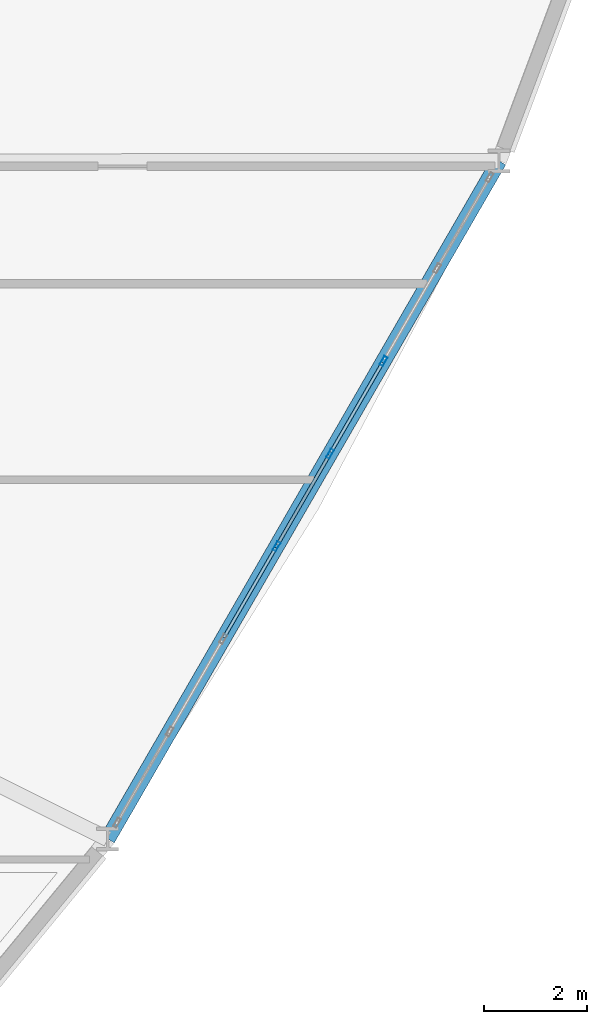
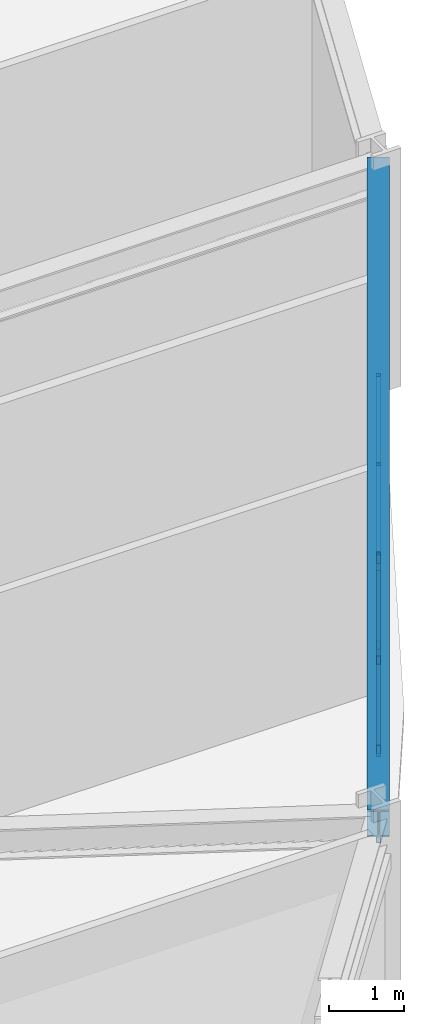
# One storey, part 7 of 21: 10 members, 1 beam, 1 element without a shape of its own.
"""IFC4 building model written with IfcOpenShell, lengths in metres."""

from ifc_helpers import new_model, si_unit, derived_unit, direction, frame, origin, origin_2d, place, context, subcontext, project, spatial, hollow_rectangle, i_section, extrude, source, transform, mapped, material, layer, layer_set, material_profile, profile_set, type_object, element, aggregate, save


model = new_model("IFC4")

# Units and contexts
model_context = context("Model", 3, precision=1e-05, world=origin(), true_north=direction((0.0, 1.0)))
body_context = subcontext(model_context, "Body", "Model", "MODEL_VIEW")
ifc_project = project(units=[si_unit("LENGTHUNIT", "METRE"), si_unit("AREAUNIT", "SQUARE_METRE"), si_unit("VOLUMEUNIT", "CUBIC_METRE"), si_unit("PLANEANGLEUNIT", "RADIAN"), si_unit("MASSUNIT", "GRAM", prefix="KILO"), derived_unit("THERMALTRANSMITTANCEUNIT", [(si_unit("POWERUNIT", "WATT"), 1), (si_unit("LENGTHUNIT", "METRE"), -2), (si_unit("THERMODYNAMICTEMPERATUREUNIT", "KELVIN"), -1)])], contexts=[model_context])

# Site, building, storey
site_placement = place(None, origin())
site = spatial("IfcSite", under=ifc_project, at=site_placement, CompositionType="ELEMENT")
building_placement = place(site_placement, origin())
building = spatial("IfcBuilding", under=site, at=building_placement, Name="Korsvarv Bourse and Concert Hall", CompositionType="ELEMENT")
storey_placement = place(building_placement, frame((0.0, 0.0, 63.89990234375)))
storey = spatial("IfcBuildingStorey", under=building, at=storey_placement, Name="L15", CompositionType="ELEMENT", Elevation=63.89990234375)

# Beam
ifc_material_1 = material(Name="Steel S355", Category="steel")
ifc_material_profile_1 = material_profile(ifc_material_1, i_section(OverallWidth=0.300048828125, OverallDepth=0.449951171875, WebThickness=0.013916015625, FlangeThickness=0.02587890625, FilletRadius=0.02099609375, at=origin_2d()), Name="HEB 450")
ifc_profile_set_1 = profile_set([ifc_material_profile_1], Name="Steel S355")
beam_type = type_object("IfcBeamType", Name="BM-HEB450", PredefinedType="SPANDREL", material=ifc_profile_set_1)
shared_shape_1 = source(origin(), body_context, "Body", "SweptSolid", [
    extrude(i_section(OverallWidth=0.300048828125, OverallDepth=0.449951171875, WebThickness=0.013916015625, FlangeThickness=0.02587890625, FilletRadius=0.02099609375, at=origin_2d()), origin(), (0.0, 0.0, 1.0), 15.25341796875),
])
beam_placement = place(storey_placement, frame((54.033447265625, 19.206787109375, 3.455078125), z_axis=(0.500003709148, 0.866023262296, 0.0), x_axis=(-0.866023262296, 0.500003709148, 0.0)))
element("IfcBeam", 1, at=beam_placement, inside=storey, type_object=beam_type, Name="L15 beam B-08", PredefinedType="SPANDREL", context=body_context, shape_type="MappedRepresentation", body=[
    mapped(shared_shape_1, transform((0.0, 0.0, 0.0), scale=1.0)),
])

# Curtain wall, members
ifc_material_2 = material(Name="Anodised aluminium and triple low-E glazing", Category="glass")
ifc_layer = layer(ifc_material_2, 0.219970703125)
ifc_layer_set = layer_set([ifc_layer], Name="Anodised aluminium and triple low-E glazing")
curtain_wall_type = type_object("IfcCurtainWallType", Name="CW-SYS-1", PredefinedType="NOTDEFINED", material=ifc_layer_set)
curtain_wall_placement = place(storey_placement, origin())
curtain_wall = element("IfcCurtainWall", 2, at=curtain_wall_placement, inside=storey, type_object=curtain_wall_type, Name="L15 CW1 curtain wall CW-L15-F11", PredefinedType="NOTDEFINED")
ifc_material_3 = material(Name="Extruded aluminium EN AW-6063 T66", Category="aluminium")
ifc_material_profile_2 = material_profile(ifc_material_3, hollow_rectangle(XDim=0.070068359375, YDim=0.18994140625, WallThickness=0.0048828125, at=origin_2d()), Name="ALU-M 70x190")
ifc_profile_set_2 = profile_set([ifc_material_profile_2], Name="Extruded aluminium EN AW-6063 T66")
member_type_1 = type_object("IfcMemberType", Name="CWM-190", PredefinedType="MULLION", material=ifc_profile_set_2)
shared_shape_2 = source(origin(), body_context, "Body", "SweptSolid", [
    extrude(hollow_rectangle(XDim=0.070068359375, YDim=0.18994140625, WallThickness=0.0048828125, at=origin_2d()), origin(), (0.0, 0.0, 1.0), 3.22998046875),
])
member_1_placement = place(storey_placement, frame((57.32568359375, 24.908935546875, 0.0), z_axis=(0.0, 0.0, 1.0), x_axis=(-0.86602191759, 0.500006038217, 0.0)))
member_1 = element("IfcMember", 3, at=member_1_placement, type_object=member_type_1, Name="CW1 mullion 4", PredefinedType="MULLION", context=body_context, shape_type="MappedRepresentation", body=[
    mapped(shared_shape_2, transform((0.0, 0.0, 0.0), scale=1.0)),
])
member_2_placement = place(storey_placement, frame((58.367919921875, 26.714111328125, 0.0), z_axis=(0.0, 0.0, 1.0), x_axis=(-0.86602191759, 0.500006038217, 0.0)))
member_2 = element("IfcMember", 4, at=member_2_placement, type_object=member_type_1, Name="CW1 mullion 5", PredefinedType="MULLION", context=body_context, shape_type="MappedRepresentation", body=[
    mapped(shared_shape_2, transform((0.0, 0.0, 0.0), scale=1.0)),
])
member_3_placement = place(storey_placement, frame((59.41015625, 28.519287109375, 0.0), z_axis=(0.0, 0.0, 1.0), x_axis=(-0.86602191759, 0.500006038217, 0.0)))
member_3 = element("IfcMember", 5, at=member_3_placement, type_object=member_type_1, Name="CW1 mullion 6", PredefinedType="MULLION", context=body_context, shape_type="MappedRepresentation", body=[
    mapped(shared_shape_2, transform((0.0, 0.0, 0.0), scale=1.0)),
])
ifc_material_profile_3 = material_profile(ifc_material_3, hollow_rectangle(XDim=0.06494140625, YDim=0.139892578125, WallThickness=0.00390625, at=origin_2d()), Name="ALU-T 65x140")
ifc_profile_set_3 = profile_set([ifc_material_profile_3], Name="Extruded aluminium EN AW-6063 T66")
member_type_2 = type_object("IfcMemberType", Name="CWT-140", PredefinedType="USERDEFINED", material=ifc_profile_set_3)
shared_shape_3 = source(origin(), body_context, "Body", "SweptSolid", [
    extrude(hollow_rectangle(XDim=0.06494140625, YDim=0.139892578125, WallThickness=0.00390625, at=origin_2d()), origin(), (0.0, 0.0, 1.0), 2.014404296875),
])
member_4_placement = place(storey_placement, frame((58.385498046875, 26.744384765625, 0.03271484375), z_axis=(0.499932278224, 0.86606449944, 0.0), x_axis=(-0.86606449944, 0.499932278224, 0.0)))
member_4 = element("IfcMember", 6, at=member_4_placement, type_object=member_type_2, Name="CW1 transom 5.1", ObjectType="TRANSOM", PredefinedType="USERDEFINED", context=body_context, shape_type="MappedRepresentation", body=[
    mapped(shared_shape_3, transform((0.0, 0.0, 0.0), scale=1.0)),
])
member_5_placement = place(storey_placement, frame((58.385498046875, 26.744384765625, 3.197509765625), z_axis=(0.499932278224, 0.86606449944, 0.0), x_axis=(-0.86606449944, 0.499932278224, 0.0)))
member_5 = element("IfcMember", 7, at=member_5_placement, type_object=member_type_2, Name="CW1 transom 5.2", ObjectType="TRANSOM", PredefinedType="USERDEFINED", context=body_context, shape_type="MappedRepresentation", body=[
    mapped(shared_shape_3, transform((0.0, 0.0, 0.0), scale=1.0)),
])
ifc_material_profile_4 = material_profile(ifc_material_3, hollow_rectangle(XDim=0.06494140625, YDim=0.1650390625, WallThickness=0.0048828125, at=origin_2d()), Name="ALU-M 65x165")
ifc_profile_set_4 = profile_set([ifc_material_profile_4], Name="Extruded aluminium EN AW-6063 T66")
member_type_3 = type_object("IfcMemberType", Name="CWM-165", PredefinedType="MULLION", material=ifc_profile_set_4)
shared_shape_4 = source(origin(), body_context, "Body", "SweptSolid", [
    extrude(hollow_rectangle(XDim=0.06494140625, YDim=0.1650390625, WallThickness=0.0048828125, at=origin_2d()), origin(), (0.0, 0.0, 1.0), 3.69677734375),
])
member_6_placement = place(storey_placement, frame((58.350341796875, 26.683837890625, 0.065185546875), z_axis=(-0.272420905185, -0.471866028497, 0.838528056518), x_axis=(0.866034203951, -0.499984757355, 0.0)))
member_6 = element("IfcMember", 8, at=member_6_placement, type_object=member_type_3, Name="CW1 diagonal mullion 4", PredefinedType="MULLION", context=body_context, shape_type="MappedRepresentation", body=[
    mapped(shared_shape_4, transform((0.0, 0.0, 0.0), scale=1.0)),
])
shared_shape_5 = source(origin(), body_context, "Body", "SweptSolid", [
    extrude(hollow_rectangle(XDim=0.06494140625, YDim=0.139892578125, WallThickness=0.00390625, at=origin_2d()), origin(), (0.0, 0.0, 1.0), 2.01416015625),
])
member_7_placement = place(storey_placement, frame((56.301025390625, 23.13427734375, 0.03271484375), z_axis=(0.499984757355, 0.866034203951, 0.0), x_axis=(-0.866034203951, 0.499984757355, 0.0)))
member_7 = element("IfcMember", 9, at=member_7_placement, type_object=member_type_2, Name="CW1 transom 3.1", ObjectType="TRANSOM", PredefinedType="USERDEFINED", context=body_context, shape_type="MappedRepresentation", body=[
    mapped(shared_shape_5, transform((0.0, 0.0, 0.0), scale=1.0)),
])
member_8_placement = place(storey_placement, frame((56.301025390625, 23.13427734375, 3.197509765625), z_axis=(0.499984757355, 0.866034203951, 0.0), x_axis=(-0.866034203951, 0.499984757355, 0.0)))
member_8 = element("IfcMember", 10, at=member_8_placement, type_object=member_type_2, Name="CW1 transom 3.2", ObjectType="TRANSOM", PredefinedType="USERDEFINED", context=body_context, shape_type="MappedRepresentation", body=[
    mapped(shared_shape_5, transform((0.0, 0.0, 0.0), scale=1.0)),
])
member_9_placement = place(storey_placement, frame((57.34326171875, 24.939453125, 0.03271484375), z_axis=(0.499984757355, 0.866034203951, 0.0), x_axis=(-0.866034203951, 0.499984757355, 0.0)))
member_9 = element("IfcMember", 11, at=member_9_placement, type_object=member_type_2, Name="CW1 transom 4.1", ObjectType="TRANSOM", PredefinedType="USERDEFINED", context=body_context, shape_type="MappedRepresentation", body=[
    mapped(shared_shape_5, transform((0.0, 0.0, 0.0), scale=1.0)),
])
member_10_placement = place(storey_placement, frame((57.34326171875, 24.939453125, 3.197509765625), z_axis=(0.499984757355, 0.866034203951, 0.0), x_axis=(-0.866034203951, 0.499984757355, 0.0)))
member_10 = element("IfcMember", 12, at=member_10_placement, type_object=member_type_2, Name="CW1 transom 4.2", ObjectType="TRANSOM", PredefinedType="USERDEFINED", context=body_context, shape_type="MappedRepresentation", body=[
    mapped(shared_shape_5, transform((0.0, 0.0, 0.0), scale=1.0)),
])
aggregate(curtain_wall, [member_1, member_2, member_3, member_7, member_8, member_9, member_10, member_6, member_4, member_5])

save(model, "model.ifc")
